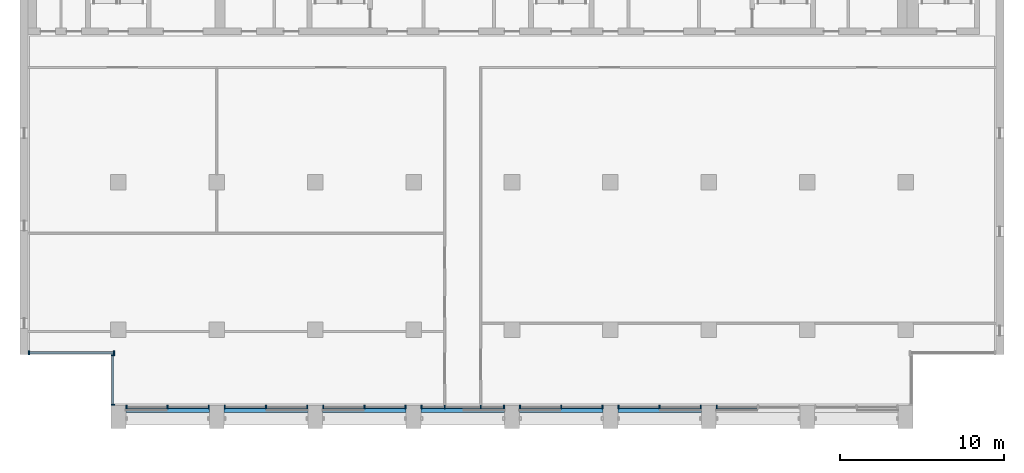
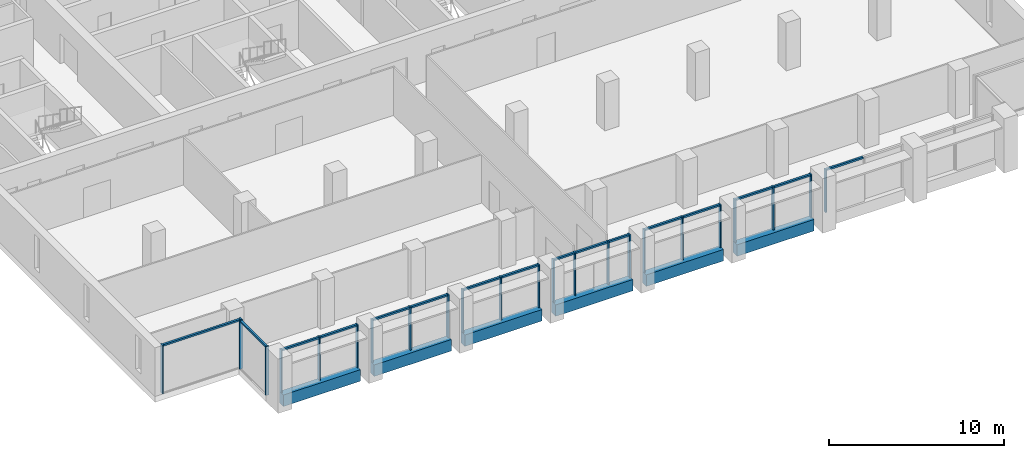
# One storey, part 2 of 14: 40 members, 6 beams, 9 elements without a shape of their own.
"""IFC4 building model written with IfcOpenShell, lengths in metres."""

from ifc_helpers import new_model, si_unit, direction, frame, origin, origin_2d, place, context, subcontext, project, spatial, rectangle, extrude, material, material_profile, profile_set, type_object, element, aggregate, save


model = new_model("IFC4")

# Units and contexts
model_context = context("Model", 3, precision=1e-05, world=origin(), true_north=direction((0.0, 1.0)))
body_context = subcontext(model_context, "Body", "Model", "MODEL_VIEW")
ifc_project = project(units=[si_unit("LENGTHUNIT", "METRE"), si_unit("AREAUNIT", "SQUARE_METRE"), si_unit("VOLUMEUNIT", "CUBIC_METRE"), si_unit("PLANEANGLEUNIT", "RADIAN"), si_unit("MASSUNIT", "GRAM", prefix="KILO")], contexts=[model_context])

# Site, building, storey
site_placement = place(None, origin())
site = spatial("IfcSite", under=ifc_project, at=site_placement, CompositionType="ELEMENT")
building_placement = place(site_placement, origin())
building = spatial("IfcBuilding", under=site, at=building_placement, Name="Calvaro Tower", CompositionType="ELEMENT")
storey_placement = place(building_placement, frame((0.0, 0.0, 235.550048828125)))
storey = spatial("IfcBuildingStorey", under=building, at=storey_placement, Name="L59", CompositionType="ELEMENT", Elevation=235.550048828125)

# Curtain wall, members
ifc_material_1 = material(Name="Anodised aluminium", Category="aluminium")
curtain_wall_type = type_object("IfcCurtainWallType", Name="Executive curtain wall", PredefinedType="NOTDEFINED", material=ifc_material_1)
curtain_wall_1_placement = place(storey_placement, origin())
curtain_wall_1 = element("IfcCurtainWall", 1, at=curtain_wall_1_placement, inside=storey, type_object=curtain_wall_type, Name="CW4 south curtain wall", PredefinedType="NOTDEFINED")
ifc_material_2 = material(Name="Anodised aluminium", Category="aluminium")
ifc_material_profile_1 = material_profile(ifc_material_2, rectangle(XDim=0.219970703125, YDim=0.080078125, at=origin_2d()), Name="Mullion S4 80 x 220")
ifc_profile_set_1 = profile_set([ifc_material_profile_1], Name="Anodised aluminium")
member_type_1 = type_object("IfcMemberType", Name="Mullion S4 80 x 220", PredefinedType="MULLION", material=ifc_profile_set_1)
member_1_placement = place(storey_placement, frame((12.489990234375, 5.2900390625, 0.0), z_axis=(0.0, 0.0, 1.0), x_axis=(0.0, 1.0, 0.0)))
member_1 = element("IfcMember", 2, at=member_1_placement, type_object=member_type_1, Name="CW4 mullion 1", PredefinedType="MULLION", context=body_context, shape_type="SweptSolid", body=[
    extrude(rectangle(XDim=0.219970703125, YDim=0.080078125, at=origin_2d()), origin(), (0.0, 0.0, 1.0), 3.0),
])
member_2_placement = place(storey_placement, frame((15.0, 5.2900390625, 0.0), z_axis=(0.0, 0.0, 1.0), x_axis=(0.0, 1.0, 0.0)))
member_2 = element("IfcMember", 3, at=member_2_placement, type_object=member_type_1, Name="CW4 mullion 2", PredefinedType="MULLION", context=body_context, shape_type="SweptSolid", body=[
    extrude(rectangle(XDim=0.219970703125, YDim=0.080078125, at=origin_2d()), origin(), (0.0, 0.0, 1.0), 3.0),
])
member_3_placement = place(storey_placement, frame((17.510009765625, 5.2900390625, 0.0), z_axis=(0.0, 0.0, 1.0), x_axis=(0.0, 1.0, 0.0)))
member_3 = element("IfcMember", 4, at=member_3_placement, type_object=member_type_1, Name="CW4 mullion 3", PredefinedType="MULLION", context=body_context, shape_type="SweptSolid", body=[
    extrude(rectangle(XDim=0.219970703125, YDim=0.080078125, at=origin_2d()), origin(), (0.0, 0.0, 1.0), 3.0),
])

curtain_wall_2_placement = place(storey_placement, origin())
curtain_wall_2 = element("IfcCurtainWall", 5, at=curtain_wall_2_placement, inside=storey, type_object=curtain_wall_type, Name="CW4 south curtain wall", PredefinedType="NOTDEFINED")
member_4_placement = place(storey_placement, frame((18.489990234375, 5.2900390625, 0.0), z_axis=(0.0, 0.0, 1.0), x_axis=(0.0, 1.0, 0.0)))
member_4 = element("IfcMember", 6, at=member_4_placement, type_object=member_type_1, Name="CW4 mullion 1", PredefinedType="MULLION", context=body_context, shape_type="SweptSolid", body=[
    extrude(rectangle(XDim=0.219970703125, YDim=0.080078125, at=origin_2d()), origin(), (0.0, 0.0, 1.0), 3.0),
])
member_5_placement = place(storey_placement, frame((21.0, 5.2900390625, 0.0), z_axis=(0.0, 0.0, 1.0), x_axis=(0.0, 1.0, 0.0)))
member_5 = element("IfcMember", 7, at=member_5_placement, type_object=member_type_1, Name="CW4 mullion 2", PredefinedType="MULLION", context=body_context, shape_type="SweptSolid", body=[
    extrude(rectangle(XDim=0.219970703125, YDim=0.080078125, at=origin_2d()), origin(), (0.0, 0.0, 1.0), 3.0),
])
member_6_placement = place(storey_placement, frame((23.510009765625, 5.2900390625, 0.0), z_axis=(0.0, 0.0, 1.0), x_axis=(0.0, 1.0, 0.0)))
member_6 = element("IfcMember", 8, at=member_6_placement, type_object=member_type_1, Name="CW4 mullion 3", PredefinedType="MULLION", context=body_context, shape_type="SweptSolid", body=[
    extrude(rectangle(XDim=0.219970703125, YDim=0.080078125, at=origin_2d()), origin(), (0.0, 0.0, 1.0), 3.0),
])

curtain_wall_3_placement = place(storey_placement, origin())
curtain_wall_3 = element("IfcCurtainWall", 9, at=curtain_wall_3_placement, inside=storey, type_object=curtain_wall_type, Name="CW4 south curtain wall", PredefinedType="NOTDEFINED")
member_7_placement = place(storey_placement, frame((24.489990234375, 5.2900390625, 0.0), z_axis=(0.0, 0.0, 1.0), x_axis=(0.0, 1.0, 0.0)))
member_7 = element("IfcMember", 10, at=member_7_placement, type_object=member_type_1, Name="CW4 mullion 1", PredefinedType="MULLION", context=body_context, shape_type="SweptSolid", body=[
    extrude(rectangle(XDim=0.219970703125, YDim=0.080078125, at=origin_2d()), origin(), (0.0, 0.0, 1.0), 3.0),
])
member_8_placement = place(storey_placement, frame((27.0, 5.2900390625, 0.0), z_axis=(0.0, 0.0, 1.0), x_axis=(0.0, 1.0, 0.0)))
member_8 = element("IfcMember", 11, at=member_8_placement, type_object=member_type_1, Name="CW4 mullion 2", PredefinedType="MULLION", context=body_context, shape_type="SweptSolid", body=[
    extrude(rectangle(XDim=0.219970703125, YDim=0.080078125, at=origin_2d()), origin(), (0.0, 0.0, 1.0), 3.0),
])
member_9_placement = place(storey_placement, frame((29.510009765625, 5.2900390625, 0.0), z_axis=(0.0, 0.0, 1.0), x_axis=(0.0, 1.0, 0.0)))
member_9 = element("IfcMember", 12, at=member_9_placement, type_object=member_type_1, Name="CW4 mullion 3", PredefinedType="MULLION", context=body_context, shape_type="SweptSolid", body=[
    extrude(rectangle(XDim=0.219970703125, YDim=0.080078125, at=origin_2d()), origin(), (0.0, 0.0, 1.0), 3.0),
])

curtain_wall_4_placement = place(storey_placement, origin())
curtain_wall_4 = element("IfcCurtainWall", 13, at=curtain_wall_4_placement, inside=storey, type_object=curtain_wall_type, Name="CW4 south curtain wall", PredefinedType="NOTDEFINED")
member_10_placement = place(storey_placement, frame((30.489990234375, 5.2900390625, 0.0), z_axis=(0.0, 0.0, 1.0), x_axis=(0.0, 1.0, 0.0)))
member_10 = element("IfcMember", 14, at=member_10_placement, type_object=member_type_1, Name="CW4 mullion 1", PredefinedType="MULLION", context=body_context, shape_type="SweptSolid", body=[
    extrude(rectangle(XDim=0.219970703125, YDim=0.080078125, at=origin_2d()), origin(), (0.0, 0.0, 1.0), 3.0),
])
member_11_placement = place(storey_placement, frame((31.89990234375, 5.2900390625, 0.0), z_axis=(0.0, 0.0, 1.0), x_axis=(0.0, 1.0, 0.0)))
member_11 = element("IfcMember", 15, at=member_11_placement, type_object=member_type_1, Name="CW4 mullion 2", PredefinedType="MULLION", context=body_context, shape_type="SweptSolid", body=[
    extrude(rectangle(XDim=0.219970703125, YDim=0.080078125, at=origin_2d()), origin(), (0.0, 0.0, 1.0), 3.0),
])
member_12_placement = place(storey_placement, frame((34.10009765625, 5.2900390625, 0.0), z_axis=(0.0, 0.0, 1.0), x_axis=(0.0, 1.0, 0.0)))
member_12 = element("IfcMember", 16, at=member_12_placement, type_object=member_type_1, Name="CW4 mullion 3", PredefinedType="MULLION", context=body_context, shape_type="SweptSolid", body=[
    extrude(rectangle(XDim=0.219970703125, YDim=0.080078125, at=origin_2d()), origin(), (0.0, 0.0, 1.0), 3.0),
])
member_13_placement = place(storey_placement, frame((35.510009765625, 5.2900390625, 0.0), z_axis=(0.0, 0.0, 1.0), x_axis=(0.0, 1.0, 0.0)))
member_13 = element("IfcMember", 17, at=member_13_placement, type_object=member_type_1, Name="CW4 mullion 4", PredefinedType="MULLION", context=body_context, shape_type="SweptSolid", body=[
    extrude(rectangle(XDim=0.219970703125, YDim=0.080078125, at=origin_2d()), origin(), (0.0, 0.0, 1.0), 3.0),
])

curtain_wall_5_placement = place(storey_placement, origin())
curtain_wall_5 = element("IfcCurtainWall", 18, at=curtain_wall_5_placement, inside=storey, type_object=curtain_wall_type, Name="CW4 south curtain wall", PredefinedType="NOTDEFINED")
member_14_placement = place(storey_placement, frame((36.489990234375, 5.2900390625, 0.0), z_axis=(0.0, 0.0, 1.0), x_axis=(0.0, 1.0, 0.0)))
member_14 = element("IfcMember", 19, at=member_14_placement, type_object=member_type_1, Name="CW4 mullion 1", PredefinedType="MULLION", context=body_context, shape_type="SweptSolid", body=[
    extrude(rectangle(XDim=0.219970703125, YDim=0.080078125, at=origin_2d()), origin(), (0.0, 0.0, 1.0), 3.0),
])
member_15_placement = place(storey_placement, frame((39.0, 5.2900390625, 0.0), z_axis=(0.0, 0.0, 1.0), x_axis=(0.0, 1.0, 0.0)))
member_15 = element("IfcMember", 20, at=member_15_placement, type_object=member_type_1, Name="CW4 mullion 2", PredefinedType="MULLION", context=body_context, shape_type="SweptSolid", body=[
    extrude(rectangle(XDim=0.219970703125, YDim=0.080078125, at=origin_2d()), origin(), (0.0, 0.0, 1.0), 3.0),
])
member_16_placement = place(storey_placement, frame((41.510009765625, 5.2900390625, 0.0), z_axis=(0.0, 0.0, 1.0), x_axis=(0.0, 1.0, 0.0)))
member_16 = element("IfcMember", 21, at=member_16_placement, type_object=member_type_1, Name="CW4 mullion 3", PredefinedType="MULLION", context=body_context, shape_type="SweptSolid", body=[
    extrude(rectangle(XDim=0.219970703125, YDim=0.080078125, at=origin_2d()), origin(), (0.0, 0.0, 1.0), 3.0),
])

curtain_wall_6_placement = place(storey_placement, origin())
curtain_wall_6 = element("IfcCurtainWall", 22, at=curtain_wall_6_placement, inside=storey, type_object=curtain_wall_type, Name="CW4 south curtain wall", PredefinedType="NOTDEFINED")
member_17_placement = place(storey_placement, frame((42.489990234375, 5.2900390625, 0.0), z_axis=(0.0, 0.0, 1.0), x_axis=(0.0, 1.0, 0.0)))
member_17 = element("IfcMember", 23, at=member_17_placement, type_object=member_type_1, Name="CW4 mullion 1", PredefinedType="MULLION", context=body_context, shape_type="SweptSolid", body=[
    extrude(rectangle(XDim=0.219970703125, YDim=0.080078125, at=origin_2d()), origin(), (0.0, 0.0, 1.0), 3.0),
])
member_18_placement = place(storey_placement, frame((45.0, 5.2900390625, 0.0), z_axis=(0.0, 0.0, 1.0), x_axis=(0.0, 1.0, 0.0)))
member_18 = element("IfcMember", 24, at=member_18_placement, type_object=member_type_1, Name="CW4 mullion 2", PredefinedType="MULLION", context=body_context, shape_type="SweptSolid", body=[
    extrude(rectangle(XDim=0.219970703125, YDim=0.080078125, at=origin_2d()), origin(), (0.0, 0.0, 1.0), 3.0),
])
member_19_placement = place(storey_placement, frame((47.510009765625, 5.2900390625, 0.0), z_axis=(0.0, 0.0, 1.0), x_axis=(0.0, 1.0, 0.0)))
member_19 = element("IfcMember", 25, at=member_19_placement, type_object=member_type_1, Name="CW4 mullion 3", PredefinedType="MULLION", context=body_context, shape_type="SweptSolid", body=[
    extrude(rectangle(XDim=0.219970703125, YDim=0.080078125, at=origin_2d()), origin(), (0.0, 0.0, 1.0), 3.0),
])

# Curtain wall, member
curtain_wall_7_placement = place(storey_placement, origin())
curtain_wall_7 = element("IfcCurtainWall", 26, at=curtain_wall_7_placement, inside=storey, type_object=curtain_wall_type, Name="CW4 south curtain wall", PredefinedType="NOTDEFINED")
member_20_placement = place(storey_placement, frame((48.489990234375, 5.2900390625, 0.0), z_axis=(0.0, 0.0, 1.0), x_axis=(0.0, 1.0, 0.0)))
member_20 = element("IfcMember", 27, at=member_20_placement, type_object=member_type_1, Name="CW4 mullion 1", PredefinedType="MULLION", context=body_context, shape_type="SweptSolid", body=[
    extrude(rectangle(XDim=0.219970703125, YDim=0.080078125, at=origin_2d()), origin(), (0.0, 0.0, 1.0), 3.0),
])

# Curtain wall, members
curtain_wall_8_placement = place(storey_placement, origin())
curtain_wall_8 = element("IfcCurtainWall", 28, at=curtain_wall_8_placement, inside=storey, type_object=curtain_wall_type, Name="CW4 corner curtain wall", PredefinedType="NOTDEFINED")
member_21_placement = place(storey_placement, frame((11.659912109375, 5.43994140625, 0.0), z_axis=(0.0, 0.0, 1.0), x_axis=(-1.0, 0.0, 0.0)))
member_21 = element("IfcMember", 29, at=member_21_placement, type_object=member_type_1, Name="CW4 mullion 1", PredefinedType="MULLION", context=body_context, shape_type="SweptSolid", body=[
    extrude(rectangle(XDim=0.219970703125, YDim=0.080078125, at=origin_2d()), origin(), (0.0, 0.0, 1.0), 3.39990234375),
])
member_22_placement = place(storey_placement, frame((11.659912109375, 8.4599609375, 0.0), z_axis=(0.0, 0.0, 1.0), x_axis=(-1.0, 0.0, 0.0)))
member_22 = element("IfcMember", 30, at=member_22_placement, type_object=member_type_1, Name="CW4 mullion 2", PredefinedType="MULLION", context=body_context, shape_type="SweptSolid", body=[
    extrude(rectangle(XDim=0.219970703125, YDim=0.080078125, at=origin_2d()), origin(), (0.0, 0.0, 1.0), 3.39990234375),
])

curtain_wall_9_placement = place(storey_placement, origin())
curtain_wall_9 = element("IfcCurtainWall", 31, at=curtain_wall_9_placement, inside=storey, type_object=curtain_wall_type, Name="CW4 corner curtain wall", PredefinedType="NOTDEFINED")
member_23_placement = place(storey_placement, frame((6.5400390625, 8.610107421875, 0.0), z_axis=(0.0, 0.0, 1.0), x_axis=(0.0, 1.0, 0.0)))
member_23 = element("IfcMember", 32, at=member_23_placement, type_object=member_type_1, Name="CW4 mullion 1", PredefinedType="MULLION", context=body_context, shape_type="SweptSolid", body=[
    extrude(rectangle(XDim=0.219970703125, YDim=0.080078125, at=origin_2d()), origin(), (0.0, 0.0, 1.0), 3.39990234375),
])
member_24_placement = place(storey_placement, frame((11.72998046875, 8.610107421875, 0.0), z_axis=(0.0, 0.0, 1.0), x_axis=(0.0, 1.0, 0.0)))
member_24 = element("IfcMember", 33, at=member_24_placement, type_object=member_type_1, Name="CW4 mullion 2", PredefinedType="MULLION", context=body_context, shape_type="SweptSolid", body=[
    extrude(rectangle(XDim=0.219970703125, YDim=0.080078125, at=origin_2d()), origin(), (0.0, 0.0, 1.0), 3.39990234375),
])

# Beams
ifc_material_3 = material(Name="Concrete C50/60 precast", Category="concrete")
ifc_material_profile_2 = material_profile(ifc_material_3, rectangle(XDim=0.449951171875, YDim=0.800048828125, at=origin_2d()), Name="RC 450x800")
ifc_profile_set_2 = profile_set([ifc_material_profile_2], Name="Concrete C50/60 precast")
beam_type = type_object("IfcBeamType", Name="Spandrel beam 450x800 C50/60", PredefinedType="SPANDREL", material=ifc_profile_set_2)
for number, where, z_axis, x_axis, name in (
    (34, (12.449951171875, 5.175048828125, -0.400146484375), (1.0, 0.0, 0.0), (0.0, 1.0, 0.0), "Spandrel beam"),
    (35, (18.449951171875, 5.175048828125, -0.400146484375), (1.0, 0.0, 0.0), (0.0, 1.0, 0.0), "Spandrel beam"),
    (36, (24.449951171875, 5.175048828125, -0.400146484375), (1.0, 0.0, 0.0), (0.0, 1.0, 0.0), "Spandrel beam"),
    (37, (30.449951171875, 5.175048828125, -0.400146484375), (1.0, 0.0, 0.0), (0.0, 1.0, 0.0), "Spandrel beam"),
    (38, (36.449951171875, 5.175048828125, -0.400146484375), (1.0, 0.0, 0.0), (0.0, 1.0, 0.0), "Spandrel beam"),
    (39, (42.449951171875, 5.175048828125, -0.400146484375), (1.0, 0.0, 0.0), (0.0, 1.0, 0.0), "Spandrel beam"),
):
    element("IfcBeam", number, at=place(storey_placement, frame(where, z_axis=z_axis, x_axis=x_axis)), inside=storey, type_object=beam_type, Name=name, PredefinedType="SPANDREL", context=body_context, shape_type="SweptSolid", body=[
        extrude(rectangle(XDim=0.449951171875, YDim=0.800048828125, at=origin_2d()), origin(), (0.0, 0.0, 1.0), 5.10009765625),
    ])

# Member
ifc_material_4 = material(Name="Anodised aluminium", Category="aluminium")
ifc_material_profile_3 = material_profile(ifc_material_4, rectangle(XDim=0.139892578125, YDim=0.1201171875, at=origin_2d()), Name="Transom S4 120 x 140")
ifc_profile_set_3 = profile_set([ifc_material_profile_3], Name="Anodised aluminium")
member_type_2 = type_object("IfcMemberType", Name="Transom S4 120 x 140", PredefinedType="USERDEFINED", material=ifc_profile_set_3)
member_25_placement = place(storey_placement, frame((12.530029296875, 5.2900390625, 2.93994140625), z_axis=(1.0, 0.0, 0.0), x_axis=(0.0, 1.0, 0.0)))
member_25 = element("IfcMember", 40, at=member_25_placement, type_object=member_type_2, Name="CW4 transom 1.1", ObjectType="TRANSOM", PredefinedType="USERDEFINED", context=body_context, shape_type="SweptSolid", body=[
    extrude(rectangle(XDim=0.139892578125, YDim=0.1201171875, at=origin_2d()), origin(), (0.0, 0.0, 1.0), 2.429931640625),
])

member_26_placement = place(storey_placement, frame((15.0400390625, 5.2900390625, 2.93994140625), z_axis=(1.0, 0.0, 0.0), x_axis=(0.0, 1.0, 0.0)))
member_26 = element("IfcMember", 41, at=member_26_placement, type_object=member_type_2, Name="CW4 transom 2.1", ObjectType="TRANSOM", PredefinedType="USERDEFINED", context=body_context, shape_type="SweptSolid", body=[
    extrude(rectangle(XDim=0.139892578125, YDim=0.1201171875, at=origin_2d()), origin(), (0.0, 0.0, 1.0), 2.429931640625),
])

aggregate(curtain_wall_1, [member_1, member_2, member_3, member_25, member_26])

member_27_placement = place(storey_placement, frame((18.530029296875, 5.2900390625, 2.93994140625), z_axis=(1.0, 0.0, 0.0), x_axis=(0.0, 1.0, 0.0)))
member_27 = element("IfcMember", 42, at=member_27_placement, type_object=member_type_2, Name="CW4 transom 1.1", ObjectType="TRANSOM", PredefinedType="USERDEFINED", context=body_context, shape_type="SweptSolid", body=[
    extrude(rectangle(XDim=0.139892578125, YDim=0.1201171875, at=origin_2d()), origin(), (0.0, 0.0, 1.0), 2.429931640625),
])

member_28_placement = place(storey_placement, frame((21.0400390625, 5.2900390625, 2.93994140625), z_axis=(1.0, 0.0, 0.0), x_axis=(0.0, 1.0, 0.0)))
member_28 = element("IfcMember", 43, at=member_28_placement, type_object=member_type_2, Name="CW4 transom 2.1", ObjectType="TRANSOM", PredefinedType="USERDEFINED", context=body_context, shape_type="SweptSolid", body=[
    extrude(rectangle(XDim=0.139892578125, YDim=0.1201171875, at=origin_2d()), origin(), (0.0, 0.0, 1.0), 2.429931640625),
])

aggregate(curtain_wall_2, [member_4, member_5, member_6, member_27, member_28])

member_29_placement = place(storey_placement, frame((24.530029296875, 5.2900390625, 2.93994140625), z_axis=(1.0, 0.0, 0.0), x_axis=(0.0, 1.0, 0.0)))
member_29 = element("IfcMember", 44, at=member_29_placement, type_object=member_type_2, Name="CW4 transom 1.1", ObjectType="TRANSOM", PredefinedType="USERDEFINED", context=body_context, shape_type="SweptSolid", body=[
    extrude(rectangle(XDim=0.139892578125, YDim=0.1201171875, at=origin_2d()), origin(), (0.0, 0.0, 1.0), 2.429931640625),
])

member_30_placement = place(storey_placement, frame((27.0400390625, 5.2900390625, 2.93994140625), z_axis=(1.0, 0.0, 0.0), x_axis=(0.0, 1.0, 0.0)))
member_30 = element("IfcMember", 45, at=member_30_placement, type_object=member_type_2, Name="CW4 transom 2.1", ObjectType="TRANSOM", PredefinedType="USERDEFINED", context=body_context, shape_type="SweptSolid", body=[
    extrude(rectangle(XDim=0.139892578125, YDim=0.1201171875, at=origin_2d()), origin(), (0.0, 0.0, 1.0), 2.429931640625),
])

aggregate(curtain_wall_3, [member_7, member_8, member_9, member_29, member_30])

member_31_placement = place(storey_placement, frame((30.530029296875, 5.2900390625, 2.93994140625), z_axis=(1.0, 0.0, 0.0), x_axis=(0.0, 1.0, 0.0)))
member_31 = element("IfcMember", 46, at=member_31_placement, type_object=member_type_2, Name="CW4 transom 1.1", ObjectType="TRANSOM", PredefinedType="USERDEFINED", context=body_context, shape_type="SweptSolid", body=[
    extrude(rectangle(XDim=0.139892578125, YDim=0.1201171875, at=origin_2d()), origin(), (0.0, 0.0, 1.0), 1.330078125),
])

member_32_placement = place(storey_placement, frame((31.93994140625, 5.2900390625, 2.93994140625), z_axis=(1.0, 0.0, 0.0), x_axis=(0.0, 1.0, 0.0)))
member_32 = element("IfcMember", 47, at=member_32_placement, type_object=member_type_2, Name="CW4 transom 2.1", ObjectType="TRANSOM", PredefinedType="USERDEFINED", context=body_context, shape_type="SweptSolid", body=[
    extrude(rectangle(XDim=0.139892578125, YDim=0.1201171875, at=origin_2d()), origin(), (0.0, 0.0, 1.0), 2.1201171875),
])

member_33_placement = place(storey_placement, frame((34.139892578125, 5.2900390625, 2.93994140625), z_axis=(1.0, 0.0, 0.0), x_axis=(0.0, 1.0, 0.0)))
member_33 = element("IfcMember", 48, at=member_33_placement, type_object=member_type_2, Name="CW4 transom 3.1", ObjectType="TRANSOM", PredefinedType="USERDEFINED", context=body_context, shape_type="SweptSolid", body=[
    extrude(rectangle(XDim=0.139892578125, YDim=0.1201171875, at=origin_2d()), origin(), (0.0, 0.0, 1.0), 1.330078125),
])

aggregate(curtain_wall_4, [member_10, member_11, member_12, member_13, member_31, member_32, member_33])

member_34_placement = place(storey_placement, frame((36.530029296875, 5.2900390625, 2.93994140625), z_axis=(1.0, 0.0, 0.0), x_axis=(0.0, 1.0, 0.0)))
member_34 = element("IfcMember", 49, at=member_34_placement, type_object=member_type_2, Name="CW4 transom 1.1", ObjectType="TRANSOM", PredefinedType="USERDEFINED", context=body_context, shape_type="SweptSolid", body=[
    extrude(rectangle(XDim=0.139892578125, YDim=0.1201171875, at=origin_2d()), origin(), (0.0, 0.0, 1.0), 2.429931640625),
])

member_35_placement = place(storey_placement, frame((39.0400390625, 5.2900390625, 2.93994140625), z_axis=(1.0, 0.0, 0.0), x_axis=(0.0, 1.0, 0.0)))
member_35 = element("IfcMember", 50, at=member_35_placement, type_object=member_type_2, Name="CW4 transom 2.1", ObjectType="TRANSOM", PredefinedType="USERDEFINED", context=body_context, shape_type="SweptSolid", body=[
    extrude(rectangle(XDim=0.139892578125, YDim=0.1201171875, at=origin_2d()), origin(), (0.0, 0.0, 1.0), 2.429931640625),
])

aggregate(curtain_wall_5, [member_14, member_15, member_16, member_34, member_35])

member_36_placement = place(storey_placement, frame((42.530029296875, 5.2900390625, 2.93994140625), z_axis=(1.0, 0.0, 0.0), x_axis=(0.0, 1.0, 0.0)))
member_36 = element("IfcMember", 51, at=member_36_placement, type_object=member_type_2, Name="CW4 transom 1.1", ObjectType="TRANSOM", PredefinedType="USERDEFINED", context=body_context, shape_type="SweptSolid", body=[
    extrude(rectangle(XDim=0.139892578125, YDim=0.1201171875, at=origin_2d()), origin(), (0.0, 0.0, 1.0), 2.429931640625),
])

member_37_placement = place(storey_placement, frame((45.0400390625, 5.2900390625, 2.93994140625), z_axis=(1.0, 0.0, 0.0), x_axis=(0.0, 1.0, 0.0)))
member_37 = element("IfcMember", 52, at=member_37_placement, type_object=member_type_2, Name="CW4 transom 2.1", ObjectType="TRANSOM", PredefinedType="USERDEFINED", context=body_context, shape_type="SweptSolid", body=[
    extrude(rectangle(XDim=0.139892578125, YDim=0.1201171875, at=origin_2d()), origin(), (0.0, 0.0, 1.0), 2.429931640625),
])

aggregate(curtain_wall_6, [member_17, member_18, member_19, member_36, member_37])

member_38_placement = place(storey_placement, frame((48.530029296875, 5.2900390625, 2.93994140625), z_axis=(1.0, 0.0, 0.0), x_axis=(0.0, 1.0, 0.0)))
member_38 = element("IfcMember", 53, at=member_38_placement, type_object=member_type_2, Name="CW4 transom 1.1", ObjectType="TRANSOM", PredefinedType="USERDEFINED", context=body_context, shape_type="SweptSolid", body=[
    extrude(rectangle(XDim=0.139892578125, YDim=0.1201171875, at=origin_2d()), origin(), (0.0, 0.0, 1.0), 2.429931640625),
])

aggregate(curtain_wall_7, [member_20, member_38])

member_39_placement = place(storey_placement, frame((11.659912109375, 5.47998046875, 3.33984375), z_axis=(0.0, 1.0, 0.0), x_axis=(-1.0, 0.0, 0.0)))
member_39 = element("IfcMember", 54, at=member_39_placement, type_object=member_type_2, Name="CW4 transom 1.1", ObjectType="TRANSOM", PredefinedType="USERDEFINED", context=body_context, shape_type="SweptSolid", body=[
    extrude(rectangle(XDim=0.139892578125, YDim=0.1201171875, at=origin_2d()), origin(), (0.0, 0.0, 1.0), 2.93994140625),
])

aggregate(curtain_wall_8, [member_21, member_22, member_39])

member_40_placement = place(storey_placement, frame((6.580078125, 8.610107421875, 3.33984375), z_axis=(1.0, 0.0, 0.0), x_axis=(0.0, 1.0, 0.0)))
member_40 = element("IfcMember", 55, at=member_40_placement, type_object=member_type_2, Name="CW4 transom 1.1", ObjectType="TRANSOM", PredefinedType="USERDEFINED", context=body_context, shape_type="SweptSolid", body=[
    extrude(rectangle(XDim=0.139892578125, YDim=0.1201171875, at=origin_2d()), origin(), (0.0, 0.0, 1.0), 5.10986328125),
])

aggregate(curtain_wall_9, [member_23, member_24, member_40])

save(model, "model.ifc")
